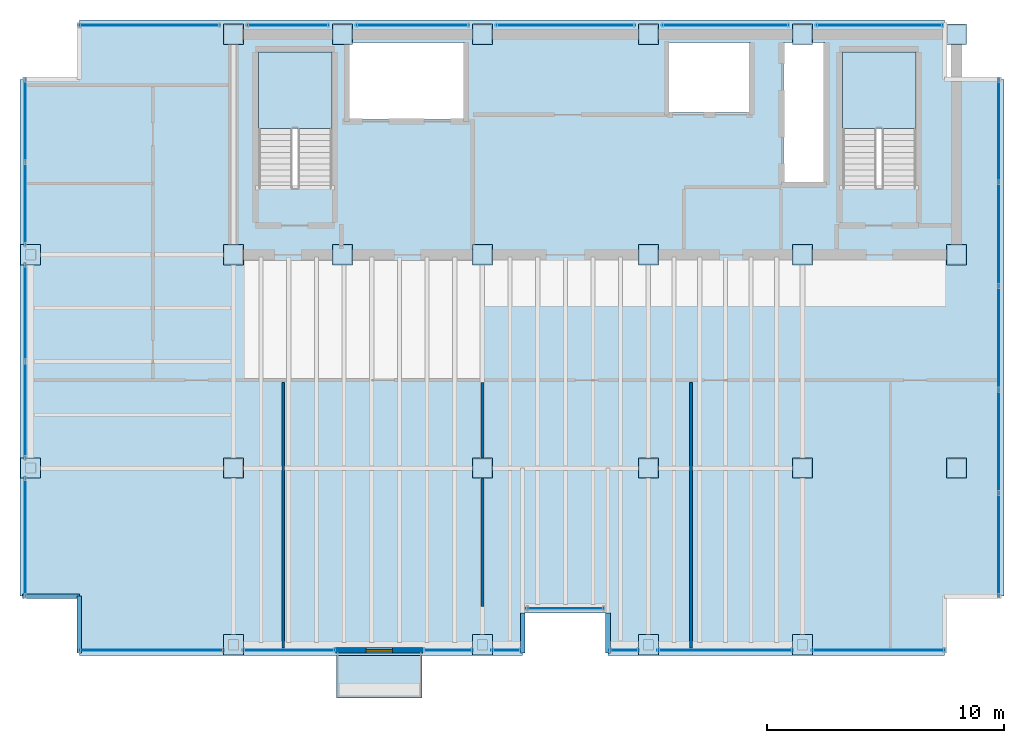
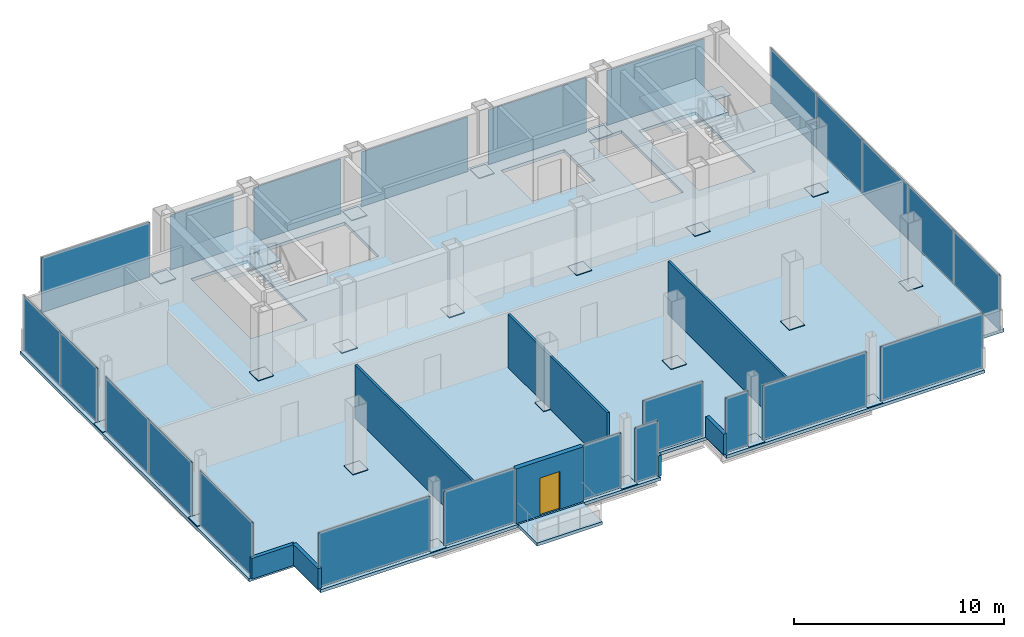
# One storey, part 13 of 16: 47 plates, 8 walls, 4 slabs, 1 door, 6 openings, 20 elements without a shape of their own.
"""IFC4 building model written with IfcOpenShell, lengths in metres."""

import ifcopenshell
import ifcopenshell.guid

model = None  # the IFC model being written
_history = None  # IfcOwnerHistory: only IFC2X3 demands one
_inside = {}  # id of a spatial element -> (the spatial element, [elements in it])
_under = {}  # id of a project, library or spatial element -> (it, [spatial elements below it])
_declared = {}  # id of a project -> (the project, [libraries it declares])
_typed = {}  # id of a type object -> (the type object, [elements of that type])
_made_of = {}  # id of a material, layer set ... -> (it, [elements and type objects made of it])


def new_model(schema):
    """Start an empty IFC model of exactly this schema.

    Asked for "IFC4X3", IfcOpenShell would pick the latest addendum, in which some entities
    have other attributes; the version numbers below select the first issue.
    IFC2X3 requires an IfcOwnerHistory on every rooted entity: one is made here for all.
    """
    global model, _history
    if schema == "IFC4X3":
        model = ifcopenshell.file(schema_version=(4, 3, 0, 0))
    else:
        model = ifcopenshell.file(schema=schema)
    _inside.clear()
    _under.clear()
    _declared.clear()
    _typed.clear()
    _made_of.clear()
    _history = None
    if model.schema == "IFC2X3":
        org = make("IfcOrganization", Name="unknown")
        user = make(
            "IfcPersonAndOrganization",
            ThePerson=make("IfcPerson", FamilyName="unknown"),
            TheOrganization=org,
        )
        app = make(
            "IfcApplication",
            ApplicationDeveloper=org,
            Version="unknown",
            ApplicationFullName="unknown",
            ApplicationIdentifier="unknown",
        )
        _history = make(
            "IfcOwnerHistory",
            OwningUser=user,
            OwningApplication=app,
            ChangeAction="ADDED",
            CreationDate=0,
        )
    return model


def make(cls, **values):
    """One entity of the class cls with the attributes given. An attribute that is None is left unset."""
    return model.create_entity(
        cls, **{name: value for name, value in values.items() if value is not None}
    )


def rooted(cls, **values):
    """An entity with a GlobalId (a new one), such as an element, a storey or a relation."""
    return make(cls, GlobalId=ifcopenshell.guid.new(), OwnerHistory=_history, **values)


def si_unit(unit_type, name, prefix=None):
    """IfcSIUnit, for example si_unit("LENGTHUNIT", "METRE", prefix="MILLI")."""
    return make("IfcSIUnit", UnitType=unit_type, Prefix=prefix, Name=name)


def assignment(units):
    """IfcUnitAssignment: the units of a project."""
    return None if units is None else make("IfcUnitAssignment", Units=units)


def point(xyz):
    """IfcCartesianPoint."""
    return None if xyz is None else make("IfcCartesianPoint", Coordinates=xyz)


def direction(xyz):
    """IfcDirection."""
    return None if xyz is None else make("IfcDirection", DirectionRatios=xyz)


def frame(location, z_axis=None, x_axis=None):
    """IfcAxis2Placement3D, a coordinate frame: its origin and axes. An axis left out is left unset."""
    return make(
        "IfcAxis2Placement3D",
        Location=point(location),
        Axis=direction(z_axis),
        RefDirection=direction(x_axis),
    )


def frame_2d(location, x_axis=None):
    """IfcAxis2Placement2D, a coordinate frame in the plane: its origin and x axis."""
    return make(
        "IfcAxis2Placement2D", Location=point(location), RefDirection=direction(x_axis)
    )


def origin():
    """The frame at (0, 0, 0) with its axes left unset."""
    return frame((0.0, 0.0, 0.0))


def origin_2d():
    """The frame at (0, 0) in the plane with its x axis left unset."""
    return frame_2d((0.0, 0.0))


def place(relative_to, where):
    """IfcLocalPlacement: puts the frame where relative to a parent placement (None: the world)."""
    return make(
        "IfcLocalPlacement", PlacementRelTo=relative_to, RelativePlacement=where
    )


def context(
    kind, dimensions, precision=None, world=None, true_north=None, identifier=None
):
    """IfcGeometricRepresentationContext, for example the 3D "Model" context."""
    return make(
        "IfcGeometricRepresentationContext",
        ContextIdentifier=identifier,
        ContextType=kind,
        CoordinateSpaceDimension=dimensions,
        Precision=precision,
        WorldCoordinateSystem=world,
        TrueNorth=true_north,
    )


def subcontext(parent, identifier, kind, view, scale=None):
    """IfcGeometricRepresentationSubContext, for example "Body" below "Model"."""
    return make(
        "IfcGeometricRepresentationSubContext",
        ContextIdentifier=identifier,
        ContextType=kind,
        ParentContext=parent,
        TargetScale=scale,
        TargetView=view,
    )


def project(units=None, contexts=None):
    """IfcProject with its units and contexts."""
    return rooted(
        "IfcProject",
        Name="project",
        RepresentationContexts=contexts,
        UnitsInContext=assignment(units),
    )


def spatial(cls, under=None, at=None, **own):
    """A site, building, storey or space (cls), placed at a placement, below another one or the project."""
    s = rooted(cls, ObjectPlacement=at, **own)
    if under is not None:
        _under.setdefault(under.id(), (under, []))[1].append(s)
    return s


def polyline(points):
    """IfcPolyline through the points."""
    return make("IfcPolyline", Points=[point(p) for p in points])


def profile(cls, at=None, kind="AREA", **sizes):
    """A parametric profile (cls). Its sizes go by their IFC names, for example OverallWidth=200.0."""
    return make(cls, ProfileType=kind, Position=at, **sizes)


def rectangle(**sizes):
    """IfcRectangleProfileDef."""
    return profile("IfcRectangleProfileDef", **sizes)


def outline(outer, holes=None, kind="AREA"):
    """IfcArbitraryClosedProfileDef: a profile drawn as a closed curve; with holes, ...WithVoids."""
    if holes is None:
        return make("IfcArbitraryClosedProfileDef", ProfileType=kind, OuterCurve=outer)
    return make(
        "IfcArbitraryProfileDefWithVoids",
        ProfileType=kind,
        OuterCurve=outer,
        InnerCurves=holes,
    )


def extrude(swept, where, along, depth):
    """IfcExtrudedAreaSolid: the profile swept, set in the frame where, extruded along a direction by depth."""
    return make(
        "IfcExtrudedAreaSolid",
        SweptArea=swept,
        Position=where,
        ExtrudedDirection=direction(along),
        Depth=depth,
    )


def shape(context_of_items, identifier, shape_type, items):
    """IfcShapeRepresentation: the items that make up one representation, for example the "Body"."""
    return make(
        "IfcShapeRepresentation",
        ContextOfItems=context_of_items,
        RepresentationIdentifier=identifier,
        RepresentationType=shape_type,
        Items=items,
    )


def material(Name=None, Category=None):
    """IfcMaterial."""
    return make("IfcMaterial", Name=Name, Category=Category)


def layer(
    of_material, thickness, ventilated=None, Name=None, Category=None, Priority=None
):
    """IfcMaterialLayer: one layer of a wall or slab, of a material (None: an air gap)."""
    return make(
        "IfcMaterialLayer",
        Material=of_material,
        LayerThickness=thickness,
        IsVentilated=ventilated,
        Name=Name,
        Category=Category,
        Priority=Priority,
    )


def layer_set(layers, Name=None):
    """IfcMaterialLayerSet."""
    return make("IfcMaterialLayerSet", MaterialLayers=layers, LayerSetName=Name)


def made_of(thing, what):
    """Note that an element or type object is made of a material, layer set ...; save() writes the relation."""
    if what is not None:
        _made_of.setdefault(what.id(), (what, []))[1].append(thing)
    return thing


def type_object(cls, material=None, **own):
    """A type object (cls), such as IfcWallType, which elements share."""
    return made_of(rooted(cls, **own), material)


def element(
    cls,
    number,
    at=None,
    inside=None,
    cuts=None,
    type_object=None,
    material=None,
    context=None,
    identifier="Body",
    shape_type=None,
    held_by="IfcProductDefinitionShape",
    body=None,
    shapes=None,
    **own,
):
    """One element of the class cls, such as IfcWall. Its Tag is "e" and its number.

    at: its placement. inside: the storey or other place that contains it. cuts: it is an
    opening in that element (IfcRelVoidsElement). A single representation is given by context,
    identifier, shape_type and body (its items); several are given by shapes. held_by: the class
    of the entity that holds the representations. save() writes the other relations.
    """
    e = rooted(cls, Tag="e%d" % number, ObjectPlacement=at, **own)
    if body is not None:
        shapes = [shape(context, identifier, shape_type, body)]
    if shapes is not None:
        e.Representation = make(held_by, Representations=shapes)
    if inside is not None:
        _inside.setdefault(inside.id(), (inside, []))[1].append(e)
    if cuts is not None:
        rooted(
            "IfcRelVoidsElement", RelatingBuildingElement=cuts, RelatedOpeningElement=e
        )
    if type_object is not None:
        _typed.setdefault(type_object.id(), (type_object, []))[1].append(e)
    return made_of(e, material)


def fill(opening, filler):
    """IfcRelFillsElement: the door or window that sits in an opening."""
    return rooted(
        "IfcRelFillsElement",
        RelatingOpeningElement=opening,
        RelatedBuildingElement=filler,
    )


def aggregate(whole, parts):
    """IfcRelAggregates: a whole, such as a stair, and the parts it consists of."""
    return rooted("IfcRelAggregates", RelatingObject=whole, RelatedObjects=parts)


def save(model, path):
    """Write the relations noted so far, then the file.

    IfcRelAggregates (storeys below a building ...), IfcRelContainedInSpatialStructure (elements
    in a storey), IfcRelDefinesByType, IfcRelAssociatesMaterial and IfcRelDeclares: one each for
    every whole, place, type object, material and project.
    """
    for whole, parts in _under.values():
        aggregate(whole, parts)
    for where, things in _inside.values():
        rooted(
            "IfcRelContainedInSpatialStructure",
            RelatedElements=things,
            RelatingStructure=where,
        )
    for kind, things in _typed.values():
        rooted("IfcRelDefinesByType", RelatedObjects=things, RelatingType=kind)
    for what, things in _made_of.values():
        rooted("IfcRelAssociatesMaterial", RelatedObjects=things, RelatingMaterial=what)
    for by, libraries in _declared.values():
        rooted("IfcRelDeclares", RelatingContext=by, RelatedDefinitions=libraries)
    model.write(path)


model = new_model("IFC4")

# Units and contexts
model_context = context("Model", 3, precision=1e-05, world=origin(), true_north=direction((0.0, 1.0)))
body_context = subcontext(model_context, "Body", "Model", "MODEL_VIEW")
ifc_project = project(units=[si_unit("LENGTHUNIT", "METRE"), si_unit("AREAUNIT", "SQUARE_METRE"), si_unit("VOLUMEUNIT", "CUBIC_METRE"), si_unit("PLANEANGLEUNIT", "RADIAN"), si_unit("MASSUNIT", "GRAM", prefix="KILO")], contexts=[model_context])

# Site, building, storey
site_placement = place(None, origin())
site = spatial("IfcSite", under=ifc_project, at=site_placement, CompositionType="ELEMENT")
building_placement = place(site_placement, origin())
building = spatial("IfcBuilding", under=site, at=building_placement, Name="Noeulbin Bourse Tower", CompositionType="ELEMENT")
storey_placement = place(building_placement, frame((0.0, 0.0, 234.5)))
storey = spatial("IfcBuildingStorey", under=building, at=storey_placement, Name="L58", CompositionType="ELEMENT", Elevation=234.5)

# Curtain wall, plate
ifc_material_1 = material(Name="High-Selectivity Low-Iron Glazing", Category="glass")
curtain_wall_type = type_object("IfcCurtainWallType", Name="CW-SYS-4", PredefinedType="NOTDEFINED", material=ifc_material_1)
curtain_wall_1_placement = place(storey_placement, origin())
curtain_wall_1 = element("IfcCurtainWall", 1, at=curtain_wall_1_placement, inside=storey, type_object=curtain_wall_type, Name="Unitised Curtain Wall CW-L58-SREC", PredefinedType="NOTDEFINED")
ifc_layer_1 = layer(ifc_material_1, 0.035888671875)
ifc_layer_set_1 = layer_set([ifc_layer_1], Name="High-Selectivity Low-Iron Glazing")
plate_type_1 = type_object("IfcPlateType", Name="CW-SYS-4-PNL", PredefinedType="CURTAIN_PANEL", material=ifc_layer_set_1)
plate_1_placement = place(storey_placement, frame((27.5, 14.080078125, 0.0), z_axis=(0.0, 0.0, 1.0), x_axis=(1.0, 0.0, 0.0)))
plate_1 = element("IfcPlate", 2, at=plate_1_placement, type_object=plate_type_1, Name="Glazed Curtain Panel CW-L58-SREC-P00", PredefinedType="CURTAIN_PANEL", context=body_context, shape_type="SweptSolid", body=[
    extrude(rectangle(XDim=3.300048828125, YDim=0.035888671875, at=origin_2d()), origin(), (0.0, 0.0, 1.0), 3.179931640625),
])
aggregate(curtain_wall_1, [plate_1])

curtain_wall_2_placement = place(storey_placement, origin())
curtain_wall_2 = element("IfcCurtainWall", 3, at=curtain_wall_2_placement, inside=storey, type_object=curtain_wall_type, Name="Unitised Curtain Wall CW-L58-S1-S1", PredefinedType="NOTDEFINED")
plate_2_placement = place(storey_placement, frame((10.047607421875, 12.320068359375, 0.0), z_axis=(0.0, 0.0, 1.0), x_axis=(1.0, 0.0, 0.0)))
plate_2 = element("IfcPlate", 4, at=plate_2_placement, type_object=plate_type_1, Name="Glazed Curtain Panel CW-L58-S1-S1-P00", PredefinedType="CURTAIN_PANEL", context=body_context, shape_type="SweptSolid", body=[
    extrude(rectangle(XDim=6.135009765625, YDim=0.035888671875, at=origin_2d()), origin(), (0.0, 0.0, 1.0), 3.179931640625),
])
aggregate(curtain_wall_2, [plate_2])

curtain_wall_3_placement = place(storey_placement, origin())
curtain_wall_3 = element("IfcCurtainWall", 5, at=curtain_wall_3_placement, inside=storey, type_object=curtain_wall_type, Name="Unitised Curtain Wall CW-L58-S1-S2", PredefinedType="NOTDEFINED")
plate_3_placement = place(storey_placement, frame((15.842529296875, 12.320068359375, 0.0), z_axis=(0.0, 0.0, 1.0), x_axis=(1.0, 0.0, 0.0)))
plate_3 = element("IfcPlate", 6, at=plate_3_placement, type_object=plate_type_1, Name="Glazed Curtain Panel CW-L58-S1-S2-P00", PredefinedType="CURTAIN_PANEL", context=body_context, shape_type="SweptSolid", body=[
    extrude(rectangle(XDim=3.9150390625, YDim=0.035888671875, at=origin_2d()), origin(), (0.0, 0.0, 1.0), 3.179931640625),
])
aggregate(curtain_wall_3, [plate_3])

curtain_wall_4_placement = place(storey_placement, origin())
curtain_wall_4 = element("IfcCurtainWall", 7, at=curtain_wall_4_placement, inside=storey, type_object=curtain_wall_type, Name="Unitised Curtain Wall CW-L58-S2-S1", PredefinedType="NOTDEFINED")
plate_4_placement = place(storey_placement, frame((22.5576171875, 12.320068359375, 0.0), z_axis=(0.0, 0.0, 1.0), x_axis=(1.0, 0.0, 0.0)))
plate_4 = element("IfcPlate", 8, at=plate_4_placement, type_object=plate_type_1, Name="Glazed Curtain Panel CW-L58-S2-S1-P00", PredefinedType="CURTAIN_PANEL", context=body_context, shape_type="SweptSolid", body=[
    extrude(rectangle(XDim=2.114990234375, YDim=0.035888671875, at=origin_2d()), origin(), (0.0, 0.0, 1.0), 3.179931640625),
])
aggregate(curtain_wall_4, [plate_4])

curtain_wall_5_placement = place(storey_placement, origin())
curtain_wall_5 = element("IfcCurtainWall", 9, at=curtain_wall_5_placement, inside=storey, type_object=curtain_wall_type, Name="Unitised Curtain Wall CW-L58-S2-S2", PredefinedType="NOTDEFINED")
plate_5_placement = place(storey_placement, frame((25.017578125, 12.320068359375, 0.0), z_axis=(0.0, 0.0, 1.0), x_axis=(1.0, 0.0, 0.0)))
plate_5 = element("IfcPlate", 10, at=plate_5_placement, type_object=plate_type_1, Name="Glazed Curtain Panel CW-L58-S2-S2-P00", PredefinedType="CURTAIN_PANEL", context=body_context, shape_type="SweptSolid", body=[
    extrude(rectangle(XDim=1.264892578125, YDim=0.035888671875, at=origin_2d()), origin(), (0.0, 0.0, 1.0), 3.179931640625),
])
aggregate(curtain_wall_5, [plate_5])

curtain_wall_6_placement = place(storey_placement, origin())
curtain_wall_6 = element("IfcCurtainWall", 11, at=curtain_wall_6_placement, inside=storey, type_object=curtain_wall_type, Name="Unitised Curtain Wall CW-L58-S3-S1", PredefinedType="NOTDEFINED")
plate_6_placement = place(storey_placement, frame((29.982421875, 12.320068359375, 0.0), z_axis=(0.0, 0.0, 1.0), x_axis=(1.0, 0.0, 0.0)))
plate_6 = element("IfcPlate", 12, at=plate_6_placement, type_object=plate_type_1, Name="Glazed Curtain Panel CW-L58-S3-S1-P00", PredefinedType="CURTAIN_PANEL", context=body_context, shape_type="SweptSolid", body=[
    extrude(rectangle(XDim=1.264892578125, YDim=0.035888671875, at=origin_2d()), origin(), (0.0, 0.0, 1.0), 3.179931640625),
])
aggregate(curtain_wall_6, [plate_6])

curtain_wall_7_placement = place(storey_placement, origin())
curtain_wall_7 = element("IfcCurtainWall", 13, at=curtain_wall_7_placement, inside=storey, type_object=curtain_wall_type, Name="Unitised Curtain Wall CW-L58-S3-S2", PredefinedType="NOTDEFINED")
plate_7_placement = place(storey_placement, frame((34.25, 12.320068359375, 0.0), z_axis=(0.0, 0.0, 1.0), x_axis=(1.0, 0.0, 0.0)))
plate_7 = element("IfcPlate", 14, at=plate_7_placement, type_object=plate_type_1, Name="Glazed Curtain Panel CW-L58-S3-S2-P00", PredefinedType="CURTAIN_PANEL", context=body_context, shape_type="SweptSolid", body=[
    extrude(rectangle(XDim=5.72998046875, YDim=0.035888671875, at=origin_2d()), origin(), (0.0, 0.0, 1.0), 3.179931640625),
])
aggregate(curtain_wall_7, [plate_7])

curtain_wall_8_placement = place(storey_placement, origin())
curtain_wall_8 = element("IfcCurtainWall", 15, at=curtain_wall_8_placement, inside=storey, type_object=curtain_wall_type, Name="Unitised Curtain Wall CW-L58-S3-S3", PredefinedType="NOTDEFINED")
plate_8_placement = place(storey_placement, frame((40.702392578125, 12.320068359375, 0.0), z_axis=(0.0, 0.0, 1.0), x_axis=(1.0, 0.0, 0.0)))
plate_8 = element("IfcPlate", 16, at=plate_8_placement, type_object=plate_type_1, Name="Glazed Curtain Panel CW-L58-S3-S3-P00", PredefinedType="CURTAIN_PANEL", context=body_context, shape_type="SweptSolid", body=[
    extrude(rectangle(XDim=5.635009765625, YDim=0.035888671875, at=origin_2d()), origin(), (0.0, 0.0, 1.0), 3.179931640625),
])
aggregate(curtain_wall_8, [plate_8])

curtain_wall_9_placement = place(storey_placement, origin())
curtain_wall_9 = element("IfcCurtainWall", 17, at=curtain_wall_9_placement, inside=storey, type_object=curtain_wall_type, Name="Unitised Curtain Wall CW-L58-N-S1", PredefinedType="NOTDEFINED")
plate_9_placement = place(storey_placement, frame((9.9599609375, 38.679931640625, 0.0), z_axis=(0.0, 0.0, 1.0), x_axis=(1.0, 0.0, 0.0)))
plate_9 = element("IfcPlate", 18, at=plate_9_placement, type_object=plate_type_1, Name="Glazed Curtain Panel CW-L58-N-S1-P00", PredefinedType="CURTAIN_PANEL", context=body_context, shape_type="SweptSolid", body=[
    extrude(rectangle(XDim=5.9599609375, YDim=0.035888671875, at=origin_2d()), origin(), (0.0, 0.0, 1.0), 3.179931640625),
])
aggregate(curtain_wall_9, [plate_9])

curtain_wall_10_placement = place(storey_placement, origin())
curtain_wall_10 = element("IfcCurtainWall", 19, at=curtain_wall_10_placement, inside=storey, type_object=curtain_wall_type, Name="Unitised Curtain Wall CW-L58-N-S2", PredefinedType="NOTDEFINED")
plate_10_placement = place(storey_placement, frame((15.800048828125, 38.679931640625, 0.0), z_axis=(0.0, 0.0, 1.0), x_axis=(1.0, 0.0, 0.0)))
plate_10 = element("IfcPlate", 20, at=plate_10_placement, type_object=plate_type_1, Name="Glazed Curtain Panel CW-L58-N-S2-P00", PredefinedType="CURTAIN_PANEL", context=body_context, shape_type="SweptSolid", body=[
    extrude(rectangle(XDim=3.47998046875, YDim=0.035888671875, at=origin_2d()), origin(), (0.0, 0.0, 1.0), 3.179931640625),
])
aggregate(curtain_wall_10, [plate_10])

curtain_wall_11_placement = place(storey_placement, origin())
curtain_wall_11 = element("IfcCurtainWall", 21, at=curtain_wall_11_placement, inside=storey, type_object=curtain_wall_type, Name="Unitised Curtain Wall CW-L58-N-S3", PredefinedType="NOTDEFINED")
plate_11_placement = place(storey_placement, frame((21.050048828125, 38.679931640625, 0.0), z_axis=(0.0, 0.0, 1.0), x_axis=(1.0, 0.0, 0.0)))
plate_11 = element("IfcPlate", 22, at=plate_11_placement, type_object=plate_type_1, Name="Glazed Curtain Panel CW-L58-N-S3-P00", PredefinedType="CURTAIN_PANEL", context=body_context, shape_type="SweptSolid", body=[
    extrude(rectangle(XDim=4.780029296875, YDim=0.035888671875, at=origin_2d()), origin(), (0.0, 0.0, 1.0), 3.179931640625),
])
aggregate(curtain_wall_11, [plate_11])

curtain_wall_12_placement = place(storey_placement, origin())
curtain_wall_12 = element("IfcCurtainWall", 23, at=curtain_wall_12_placement, inside=storey, type_object=curtain_wall_type, Name="Unitised Curtain Wall CW-L58-N-S4", PredefinedType="NOTDEFINED")
plate_12_placement = place(storey_placement, frame((27.5, 38.679931640625, 0.0), z_axis=(0.0, 0.0, 1.0), x_axis=(1.0, 0.0, 0.0)))
plate_12 = element("IfcPlate", 24, at=plate_12_placement, type_object=plate_type_1, Name="Glazed Curtain Panel CW-L58-N-S4-P00", PredefinedType="CURTAIN_PANEL", context=body_context, shape_type="SweptSolid", body=[
    extrude(rectangle(XDim=5.8798828125, YDim=0.035888671875, at=origin_2d()), origin(), (0.0, 0.0, 1.0), 3.179931640625),
])
aggregate(curtain_wall_12, [plate_12])

curtain_wall_13_placement = place(storey_placement, origin())
curtain_wall_13 = element("IfcCurtainWall", 25, at=curtain_wall_13_placement, inside=storey, type_object=curtain_wall_type, Name="Unitised Curtain Wall CW-L58-N-S5", PredefinedType="NOTDEFINED")
plate_13_placement = place(storey_placement, frame((34.25, 38.679931640625, 0.0), z_axis=(0.0, 0.0, 1.0), x_axis=(1.0, 0.0, 0.0)))
plate_13 = element("IfcPlate", 26, at=plate_13_placement, type_object=plate_type_1, Name="Glazed Curtain Panel CW-L58-N-S5-P00", PredefinedType="CURTAIN_PANEL", context=body_context, shape_type="SweptSolid", body=[
    extrude(rectangle(XDim=5.3798828125, YDim=0.035888671875, at=origin_2d()), origin(), (0.0, 0.0, 1.0), 3.179931640625),
])
aggregate(curtain_wall_13, [plate_13])

curtain_wall_14_placement = place(storey_placement, origin())
curtain_wall_14 = element("IfcCurtainWall", 27, at=curtain_wall_14_placement, inside=storey, type_object=curtain_wall_type, Name="Unitised Curtain Wall CW-L58-N-S6", PredefinedType="NOTDEFINED")
plate_14_placement = place(storey_placement, frame((40.75, 38.679931640625, 0.0), z_axis=(0.0, 0.0, 1.0), x_axis=(1.0, 0.0, 0.0)))
plate_14 = element("IfcPlate", 28, at=plate_14_placement, type_object=plate_type_1, Name="Glazed Curtain Panel CW-L58-N-S6-P00", PredefinedType="CURTAIN_PANEL", context=body_context, shape_type="SweptSolid", body=[
    extrude(rectangle(XDim=5.3798828125, YDim=0.035888671875, at=origin_2d()), origin(), (0.0, 0.0, 1.0), 3.179931640625),
])
aggregate(curtain_wall_14, [plate_14])

curtain_wall_15_placement = place(storey_placement, origin())
curtain_wall_15 = element("IfcCurtainWall", 29, at=curtain_wall_15_placement, inside=storey, type_object=curtain_wall_type, Name="Unitised Curtain Wall CW-L58-W-S1", PredefinedType="NOTDEFINED")
plate_15_placement = place(storey_placement, frame((4.719970703125, 17.097412109375, 0.0), z_axis=(0.0, 0.0, 1.0), x_axis=(0.0, 1.0, 0.0)))
plate_15 = element("IfcPlate", 30, at=plate_15_placement, type_object=plate_type_1, Name="Glazed Curtain Panel CW-L58-W-S1-P00", PredefinedType="CURTAIN_PANEL", context=body_context, shape_type="SweptSolid", body=[
    extrude(rectangle(XDim=5.034912109375, YDim=0.035888671875, at=origin_2d()), origin(), (0.0, 0.0, 1.0), 3.179931640625),
])
aggregate(curtain_wall_15, [plate_15])

# Curtain wall, plates
curtain_wall_16_placement = place(storey_placement, origin())
curtain_wall_16 = element("IfcCurtainWall", 31, at=curtain_wall_16_placement, inside=storey, type_object=curtain_wall_type, Name="Unitised Curtain Wall CW-L58-W-S2", PredefinedType="NOTDEFINED")
plate_16_placement = place(storey_placement, frame((4.719970703125, 22.4423828125, 0.0), z_axis=(0.0, 0.0, 1.0), x_axis=(0.0, 1.0, 0.0)))
plate_16 = element("IfcPlate", 32, at=plate_16_placement, type_object=plate_type_1, Name="Glazed Curtain Panel CW-L58-W-S2-P00", PredefinedType="CURTAIN_PANEL", context=body_context, shape_type="SweptSolid", body=[
    extrude(rectangle(XDim=4.114990234375, YDim=0.035888671875, at=origin_2d()), origin(), (0.0, 0.0, 1.0), 3.179931640625),
])
plate_17_placement = place(storey_placement, frame((4.719970703125, 26.5576171875, 0.0), z_axis=(0.0, 0.0, 1.0), x_axis=(0.0, 1.0, 0.0)))
plate_17 = element("IfcPlate", 33, at=plate_17_placement, type_object=plate_type_1, Name="Glazed Curtain Panel CW-L58-W-S2-P01", PredefinedType="CURTAIN_PANEL", context=body_context, shape_type="SweptSolid", body=[
    extrude(rectangle(XDim=4.114990234375, YDim=0.035888671875, at=origin_2d()), origin(), (0.0, 0.0, 1.0), 3.179931640625),
])
aggregate(curtain_wall_16, [plate_16, plate_17])

curtain_wall_17_placement = place(storey_placement, origin())
curtain_wall_17 = element("IfcCurtainWall", 34, at=curtain_wall_17_placement, inside=storey, type_object=curtain_wall_type, Name="Unitised Curtain Wall CW-L58-W-S3", PredefinedType="NOTDEFINED")
plate_18_placement = place(storey_placement, frame((4.719970703125, 31.143798828125, 0.0), z_axis=(0.0, 0.0, 1.0), x_axis=(0.0, 1.0, 0.0)))
plate_18 = element("IfcPlate", 35, at=plate_18_placement, type_object=plate_type_1, Name="Glazed Curtain Panel CW-L58-W-S3-P00", PredefinedType="CURTAIN_PANEL", context=body_context, shape_type="SweptSolid", body=[
    extrude(rectangle(XDim=3.517578125, YDim=0.035888671875, at=origin_2d()), origin(), (0.0, 0.0, 1.0), 3.179931640625),
])
plate_19_placement = place(storey_placement, frame((4.719970703125, 34.661376953125, 0.0), z_axis=(0.0, 0.0, 1.0), x_axis=(0.0, 1.0, 0.0)))
plate_19 = element("IfcPlate", 36, at=plate_19_placement, type_object=plate_type_1, Name="Glazed Curtain Panel CW-L58-W-S3-P01", PredefinedType="CURTAIN_PANEL", context=body_context, shape_type="SweptSolid", body=[
    extrude(rectangle(XDim=3.517578125, YDim=0.035888671875, at=origin_2d()), origin(), (0.0, 0.0, 1.0), 3.179931640625),
])
aggregate(curtain_wall_17, [plate_18, plate_19])

curtain_wall_18_placement = place(storey_placement, origin())
curtain_wall_18 = element("IfcCurtainWall", 37, at=curtain_wall_18_placement, inside=storey, type_object=curtain_wall_type, Name="Unitised Curtain Wall CW-L58-E", PredefinedType="NOTDEFINED")
plate_20_placement = place(storey_placement, frame((45.780029296875, 16.763916015625, 0.0), z_axis=(0.0, 0.0, 1.0), x_axis=(0.0, 1.0, 0.0)))
plate_20 = element("IfcPlate", 38, at=plate_20_placement, type_object=plate_type_1, Name="Glazed Curtain Panel CW-L58-E-P00", PredefinedType="CURTAIN_PANEL", context=body_context, shape_type="SweptSolid", body=[
    extrude(rectangle(XDim=4.367919921875, YDim=0.035888671875, at=origin_2d()), origin(), (0.0, 0.0, 1.0), 3.179931640625),
])
plate_21_placement = place(storey_placement, frame((45.780029296875, 21.132080078125, 0.0), z_axis=(0.0, 0.0, 1.0), x_axis=(0.0, 1.0, 0.0)))
plate_21 = element("IfcPlate", 39, at=plate_21_placement, type_object=plate_type_1, Name="Glazed Curtain Panel CW-L58-E-P01", PredefinedType="CURTAIN_PANEL", context=body_context, shape_type="SweptSolid", body=[
    extrude(rectangle(XDim=4.367919921875, YDim=0.035888671875, at=origin_2d()), origin(), (0.0, 0.0, 1.0), 3.179931640625),
])
plate_22_placement = place(storey_placement, frame((45.780029296875, 25.5, 0.0), z_axis=(0.0, 0.0, 1.0), x_axis=(0.0, 1.0, 0.0)))
plate_22 = element("IfcPlate", 40, at=plate_22_placement, type_object=plate_type_1, Name="Glazed Curtain Panel CW-L58-E-P02", PredefinedType="CURTAIN_PANEL", context=body_context, shape_type="SweptSolid", body=[
    extrude(rectangle(XDim=4.367919921875, YDim=0.035888671875, at=origin_2d()), origin(), (0.0, 0.0, 1.0), 3.179931640625),
])
plate_23_placement = place(storey_placement, frame((45.780029296875, 29.867919921875, 0.0), z_axis=(0.0, 0.0, 1.0), x_axis=(0.0, 1.0, 0.0)))
plate_23 = element("IfcPlate", 41, at=plate_23_placement, type_object=plate_type_1, Name="Glazed Curtain Panel CW-L58-E-P03", PredefinedType="CURTAIN_PANEL", context=body_context, shape_type="SweptSolid", body=[
    extrude(rectangle(XDim=4.367919921875, YDim=0.035888671875, at=origin_2d()), origin(), (0.0, 0.0, 1.0), 3.179931640625),
])
plate_24_placement = place(storey_placement, frame((45.780029296875, 34.236083984375, 0.0), z_axis=(0.0, 0.0, 1.0), x_axis=(0.0, 1.0, 0.0)))
plate_24 = element("IfcPlate", 42, at=plate_24_placement, type_object=plate_type_1, Name="Glazed Curtain Panel CW-L58-E-P04", PredefinedType="CURTAIN_PANEL", context=body_context, shape_type="SweptSolid", body=[
    extrude(rectangle(XDim=4.367919921875, YDim=0.035888671875, at=origin_2d()), origin(), (0.0, 0.0, 1.0), 3.179931640625),
])
aggregate(curtain_wall_18, [plate_20, plate_21, plate_22, plate_23, plate_24])

# Plates
ifc_material_2 = material(Name="Steel S355", Category="steel")
ifc_layer_2 = layer(ifc_material_2, 0.030029296875)
ifc_layer_set_2 = layer_set([ifc_layer_2], Name="Steel S355")
plate_type_2 = type_object("IfcPlateType", Name="PLT-BN1", PredefinedType="USERDEFINED", material=ifc_layer_set_2)
for number, where, z_axis, x_axis, name in (
    (43, (13.5, 29.0, 0.0048828125), (0.0, 0.0, 1.0), (1.0, 0.0, 0.0), "Mega-Column Splice Plate BN1-L58-01"),
    (44, (13.5, 38.300048828125, 0.0048828125), (0.0, 0.0, 1.0), (1.0, 0.0, 0.0), "Mega-Column Splice Plate BN1-L58-02"),
    (45, (18.10009765625, 29.0, 0.0048828125), (0.0, 0.0, 1.0), (1.0, 0.0, 0.0), "Mega-Column Splice Plate BN1-L58-03"),
    (46, (18.10009765625, 38.300048828125, 0.0048828125), (0.0, 0.0, 1.0), (1.0, 0.0, 0.0), "Mega-Column Splice Plate BN1-L58-04"),
    (47, (24.0, 29.0, 0.0048828125), (0.0, 0.0, 1.0), (1.0, 0.0, 0.0), "Mega-Column Splice Plate BN1-L58-05"),
    (48, (24.0, 38.300048828125, 0.0048828125), (0.0, 0.0, 1.0), (1.0, 0.0, 0.0), "Mega-Column Splice Plate BN1-L58-06"),
    (49, (31.0, 29.0, 0.0048828125), (0.0, 0.0, 1.0), (1.0, 0.0, 0.0), "Mega-Column Splice Plate BN1-L58-07"),
    (50, (31.0, 38.300048828125, 0.0048828125), (0.0, 0.0, 1.0), (1.0, 0.0, 0.0), "Mega-Column Splice Plate BN1-L58-08"),
    (51, (37.5, 29.0, 0.0048828125), (0.0, 0.0, 1.0), (1.0, 0.0, 0.0), "Mega-Column Splice Plate BN1-L58-09"),
    (52, (37.5, 38.300048828125, 0.0048828125), (0.0, 0.0, 1.0), (1.0, 0.0, 0.0), "Mega-Column Splice Plate BN1-L58-10"),
    (53, (44.0, 29.0, 0.0048828125), (0.0, 0.0, 1.0), (1.0, 0.0, 0.0), "Mega-Column Splice Plate BN1-L58-11"),
    (54, (44.0, 38.300048828125, 0.0048828125), (0.0, 0.0, 1.0), (1.0, 0.0, 0.0), "Mega-Column Splice Plate BN1-L58-12"),
    (55, (13.5, 20.0, 0.0048828125), (0.0, 0.0, 1.0), (1.0, 0.0, 0.0), "Mega-Column Splice Plate BN1-L58-13"),
    (56, (24.0, 20.0, 0.0048828125), (0.0, 0.0, 1.0), (1.0, 0.0, 0.0), "Mega-Column Splice Plate BN1-L58-14"),
    (57, (31.0, 20.0, 0.0048828125), (0.0, 0.0, 1.0), (1.0, 0.0, 0.0), "Mega-Column Splice Plate BN1-L58-15"),
    (58, (37.5, 20.0, 0.0048828125), (0.0, 0.0, 1.0), (1.0, 0.0, 0.0), "Mega-Column Splice Plate BN1-L58-16"),
    (59, (44.0, 20.0, 0.0048828125), (0.0, 0.0, 1.0), (1.0, 0.0, 0.0), "Mega-Column Splice Plate BN1-L58-17"),
    (60, (4.949951171875, 20.0, 0.0048828125), (0.0, 0.0, 1.0), (1.0, 0.0, 0.0), "Perimeter Column Splice Plate BN1-L58-01"),
    (61, (4.949951171875, 29.0, 0.0048828125), (0.0, 0.0, 1.0), (1.0, 0.0, 0.0), "Perimeter Column Splice Plate BN1-L58-02"),
    (62, (13.5, 12.550048828125, 0.0048828125), (0.0, 0.0, 1.0), (1.0, 0.0, 0.0), "Perimeter Column Splice Plate BN1-L58-03"),
    (63, (24.0, 12.550048828125, 0.0048828125), (0.0, 0.0, 1.0), (1.0, 0.0, 0.0), "Perimeter Column Splice Plate BN1-L58-04"),
    (64, (31.0, 12.550048828125, 0.0048828125), (0.0, 0.0, 1.0), (1.0, 0.0, 0.0), "Perimeter Column Splice Plate BN1-L58-05"),
    (65, (37.5, 12.550048828125, 0.0048828125), (0.0, 0.0, 1.0), (1.0, 0.0, 0.0), "Perimeter Column Splice Plate BN1-L58-06"),
):
    element("IfcPlate", number, at=place(storey_placement, frame(where, z_axis=z_axis, x_axis=x_axis)), inside=storey, type_object=plate_type_2, Name=name, ObjectType="SPLICE PLATE", PredefinedType="USERDEFINED", context=body_context, shape_type="SweptSolid", body=[
        extrude(rectangle(XDim=0.85009765625, YDim=0.85009765625, at=origin_2d()), origin(), (0.0, 0.0, 1.0), 0.030029296875),
    ])

# Stair, slab
ifc_material_3 = material(Name="Concrete C40/50", Category="concrete")
stair_type = type_object("IfcStairType", Name="STR-CORE-1560", PredefinedType="HALF_TURN_STAIR", material=ifc_material_3)
stair_1_placement = place(storey_placement, origin())
stair_1 = element("IfcStair", 66, at=stair_1_placement, inside=storey, type_object=stair_type, Name="L58 ST-1", PredefinedType="HALF_TURN_STAIR")
ifc_layer_3 = layer(ifc_material_3, 0.199951171875)
ifc_layer_set_3 = layer_set([ifc_layer_3], Name="Concrete C40/50")
slab_type_1 = type_object("IfcSlabType", Name="SLB-LND-200", PredefinedType="LANDING", material=ifc_layer_set_3)
slab_1_placement = place(storey_placement, frame((0.0, 0.0, 1.75)))
slab_1 = element("IfcSlab", 67, at=slab_1_placement, type_object=slab_type_1, Name="ST-1 landing 1", PredefinedType="LANDING", context=body_context, shape_type="SweptSolid", body=[
    extrude(outline(polyline([(17.64990234375, 34.330078125), (17.64990234375, 37.5439453125), (14.550048828125, 37.5439453125), (14.550048828125, 34.330078125), (17.64990234375, 34.330078125)])), origin(), (0.0, 0.0, 1.0), 0.199951171875),
])
aggregate(stair_1, [slab_1])

stair_2_placement = place(storey_placement, origin())
stair_2 = element("IfcStair", 68, at=stair_2_placement, inside=storey, type_object=stair_type, Name="L58 ST-2", PredefinedType="HALF_TURN_STAIR")
slab_2_placement = place(storey_placement, frame((0.0, 0.0, 1.75)))
slab_2 = element("IfcSlab", 69, at=slab_2_placement, type_object=slab_type_1, Name="ST-2 landing 1", PredefinedType="LANDING", context=body_context, shape_type="SweptSolid", body=[
    extrude(outline(polyline([(42.280029296875, 34.330078125), (42.280029296875, 37.5439453125), (39.179931640625, 37.5439453125), (39.179931640625, 34.330078125), (42.280029296875, 34.330078125)])), origin(), (0.0, 0.0, 1.0), 0.199951171875),
])
aggregate(stair_2, [slab_2])

# Slab, openings
ifc_layer_4 = layer(ifc_material_3, 0.179931640625)
ifc_layer_set_4 = layer_set([ifc_layer_4], Name="Concrete C40/50")
slab_type_2 = type_object("IfcSlabType", Name="SLB-TYP-180", PredefinedType="FLOOR", material=ifc_layer_set_4)
slab_3_placement = place(storey_placement, frame((0.0, 0.0, -0.179931640625)))
slab_3 = element("IfcSlab", 70, at=slab_3_placement, inside=storey, type_object=slab_type_2, Name="Tower Structural Floor Slab L58", PredefinedType="FLOOR", context=body_context, shape_type="SweptSolid", body=[
    extrude(outline(polyline([(7.0, 12.10009765625), (25.699951171875, 12.10009765625), (25.699951171875, 13.89990234375), (29.300048828125, 13.89990234375), (29.300048828125, 12.10009765625), (43.5, 12.10009765625), (43.5, 14.60009765625), (46.0, 14.60009765625), (46.0, 36.39990234375), (43.5, 36.39990234375), (43.5, 38.89990234375), (7.0, 38.89990234375), (7.0, 36.39990234375), (4.5, 36.39990234375), (4.5, 14.60009765625), (7.0, 14.60009765625), (7.0, 12.10009765625)]), holes=[polyline([(17.64990234375, 31.81005859375), (17.64990234375, 37.5439453125), (14.550048828125, 37.5439453125), (14.550048828125, 31.81005859375), (17.64990234375, 31.81005859375)]), polyline([(42.280029296875, 31.81005859375), (42.280029296875, 37.5439453125), (39.179931640625, 37.5439453125), (39.179931640625, 31.81005859375), (42.280029296875, 31.81005859375)]), polyline([(18.35009765625, 34.699951171875), (23.25, 34.699951171875), (23.25, 37.949951171875), (18.35009765625, 37.949951171875), (18.35009765625, 34.699951171875)]), polyline([(36.699951171875, 32.050048828125), (38.449951171875, 32.050048828125), (38.449951171875, 37.949951171875), (36.699951171875, 37.949951171875), (36.699951171875, 32.050048828125)]), polyline([(31.85009765625, 35.0), (35.300048828125, 35.0), (35.300048828125, 37.949951171875), (31.85009765625, 37.949951171875), (31.85009765625, 35.0)])]), origin(), (0.0, 0.0, 1.0), 0.179931640625),
])
opening_1_placement = place(slab_3_placement, frame((0.0, 0.0, -0.010009765625)))
element("IfcOpeningElement", 71, at=opening_1_placement, cuts=slab_3, Name="Slab Shaft Opening SLB-L58-TWR-1", PredefinedType="OPENING", context=body_context, shape_type="SweptSolid", body=[
    extrude(outline(polyline([(17.64990234375, 31.81005859375), (17.64990234375, 37.5439453125), (14.550048828125, 37.5439453125), (14.550048828125, 31.81005859375), (17.64990234375, 31.81005859375)])), origin(), (0.0, 0.0, 1.0), 0.199951171875),
])
opening_2_placement = place(slab_3_placement, frame((0.0, 0.0, -0.010009765625)))
element("IfcOpeningElement", 72, at=opening_2_placement, cuts=slab_3, Name="Slab Shaft Opening SLB-L58-TWR-2", PredefinedType="OPENING", context=body_context, shape_type="SweptSolid", body=[
    extrude(outline(polyline([(42.280029296875, 31.81005859375), (42.280029296875, 37.5439453125), (39.179931640625, 37.5439453125), (39.179931640625, 31.81005859375), (42.280029296875, 31.81005859375)])), origin(), (0.0, 0.0, 1.0), 0.199951171875),
])
opening_3_placement = place(slab_3_placement, frame((0.0, 0.0, -0.010009765625)))
element("IfcOpeningElement", 73, at=opening_3_placement, cuts=slab_3, Name="Slab Shaft Opening SLB-L58-TWR-3", PredefinedType="OPENING", context=body_context, shape_type="SweptSolid", body=[
    extrude(outline(polyline([(18.35009765625, 34.699951171875), (23.25, 34.699951171875), (23.25, 37.949951171875), (18.35009765625, 37.949951171875), (18.35009765625, 34.699951171875)])), origin(), (0.0, 0.0, 1.0), 0.199951171875),
])
opening_4_placement = place(slab_3_placement, frame((0.0, 0.0, -0.010009765625)))
element("IfcOpeningElement", 74, at=opening_4_placement, cuts=slab_3, Name="Slab Shaft Opening SLB-L58-TWR-4", PredefinedType="OPENING", context=body_context, shape_type="SweptSolid", body=[
    extrude(outline(polyline([(36.699951171875, 32.050048828125), (38.449951171875, 32.050048828125), (38.449951171875, 37.949951171875), (36.699951171875, 37.949951171875), (36.699951171875, 32.050048828125)])), origin(), (0.0, 0.0, 1.0), 0.199951171875),
])
opening_5_placement = place(slab_3_placement, frame((0.0, 0.0, -0.010009765625)))
element("IfcOpeningElement", 75, at=opening_5_placement, cuts=slab_3, Name="Slab Shaft Opening SLB-L58-TWR-5", PredefinedType="OPENING", context=body_context, shape_type="SweptSolid", body=[
    extrude(outline(polyline([(31.85009765625, 35.0), (35.300048828125, 35.0), (35.300048828125, 37.949951171875), (31.85009765625, 37.949951171875), (31.85009765625, 35.0)])), origin(), (0.0, 0.0, 1.0), 0.199951171875),
])

# Slab
slab_4_placement = place(storey_placement, frame((0.0, 0.0, -0.179931640625)))
element("IfcSlab", 76, at=slab_4_placement, inside=storey, type_object=slab_type_2, Name="Cantilevered Tree-Balcony Slab L58", PredefinedType="FLOOR", context=body_context, shape_type="SweptSolid", body=[
    extrude(outline(polyline([(17.85009765625, 10.300048828125), (21.449951171875, 10.300048828125), (21.449951171875, 12.10009765625), (17.85009765625, 12.10009765625), (17.85009765625, 10.300048828125)])), origin(), (0.0, 0.0, 1.0), 0.179931640625),
])

# Wall, opening, door
ifc_material_4 = material(Name="Precast Concrete C40/50", Category="concrete")
ifc_layer_5 = layer(ifc_material_4, 0.25)
ifc_layer_set_5 = layer_set([ifc_layer_5], Name="Precast Concrete C40/50")
wall_type_1 = type_object("IfcWallType", Name="WAL-EXT-250", PredefinedType="STANDARD", material=ifc_layer_set_5)
wall_1_placement = place(storey_placement, frame((17.800048828125, 12.320068359375, 0.0), z_axis=(0.0, 0.0, 1.0), x_axis=(1.0, 0.0, 0.0)))
wall_1 = element("IfcWall", 77, at=wall_1_placement, inside=storey, type_object=wall_type_1, Name="Balcony Threshold Wall L58", PredefinedType="STANDARD", context=body_context, shape_type="SweptSolid", body=[
    extrude(rectangle(XDim=3.699951171875, YDim=0.25, at=frame_2d((1.85009765625, 0.0))), origin(), (0.0, 0.0, 1.0), 3.179931640625),
])
opening_6_placement = place(wall_1_placement, frame((1.300048828125, 0.0, 0.0)))
opening_6 = element("IfcOpeningElement", 78, at=opening_6_placement, cuts=wall_1, Name="Opening BD-11", PredefinedType="OPENING", context=body_context, shape_type="SweptSolid", body=[
    extrude(rectangle(XDim=1.10009765625, YDim=2.199951171875, at=frame_2d((0.550048828125, 1.10009765625))), frame((0.0, 0.135009765625, 0.0), z_axis=(0.0, -1.0, 0.0), x_axis=(1.0, 0.0, 0.0)), (0.0, 0.0, 1.0), 0.27001953125),
])
ifc_material_5 = material(Name="Thermally Broken Aluminium Framed Glass", Category="aluminium")
door_type = type_object("IfcDoorType", Name="DR-BAL-1100", OperationType="SINGLE_SWING_LEFT", PredefinedType="DOOR", material=ifc_material_5)
door_placement = place(opening_6_placement, origin())
door = element("IfcDoor", 79, at=door_placement, inside=storey, type_object=door_type, Name="Tree-Balcony Access Door BD-L58", OperationType="SINGLE_SWING_RIGHT", OverallHeight=2.199951171875, OverallWidth=1.10009765625, PredefinedType="DOOR", context=body_context, shape_type="SweptSolid", body=[
    extrude(rectangle(XDim=1.10009765625, YDim=2.199951171875, at=frame_2d((0.550048828125, 1.10009765625))), frame((0.0, 0.02490234375, 0.0), z_axis=(0.0, -1.0, 0.0), x_axis=(1.0, 0.0, 0.0)), (0.0, 0.0, 1.0), 0.050048828125),
])
fill(opening_6, door)

# Walls
ifc_layer_6 = layer(ifc_material_3, 0.199951171875)
ifc_layer_set_6 = layer_set([ifc_layer_6], Name="Concrete C40/50")
wall_type_2 = type_object("IfcWallType", Name="WAL-PAR-200", PredefinedType="PARAPET", material=ifc_layer_set_6)
wall_2_placement = place(storey_placement, frame((4.60009765625, 14.60009765625, 0.0), z_axis=(0.0, 0.0, 1.0), x_axis=(1.0, 0.0, 0.0)))
element("IfcWall", 80, at=wall_2_placement, inside=storey, type_object=wall_type_2, Name="Corner Notch Parapet L58-SW1", PredefinedType="PARAPET", context=body_context, shape_type="SweptSolid", body=[
    extrude(rectangle(XDim=2.39990234375, YDim=0.199951171875, at=frame_2d((1.199951171875, 0.0))), origin(), (0.0, 0.0, 1.0), 1.199951171875),
])
wall_3_placement = place(storey_placement, frame((7.0, 14.60009765625, 0.0), z_axis=(0.0, 0.0, 1.0), x_axis=(0.0, -1.0, 0.0)))
element("IfcWall", 81, at=wall_3_placement, inside=storey, type_object=wall_type_2, Name="Corner Notch Parapet L58-SW2", PredefinedType="PARAPET", context=body_context, shape_type="SweptSolid", body=[
    extrude(rectangle(XDim=2.400146484375, YDim=0.199951171875, at=frame_2d((1.2001953125, 0.0))), origin(), (0.0, 0.0, 1.0), 1.199951171875),
])
for number, where, z_axis, x_axis, name in (
    (82, (25.699951171875, 12.199951171875, 0.0), (0.0, 0.0, 1.0), (0.0, 1.0, 0.0), "Sky-Garden Recess Parapet L58-W"),
    (83, (29.300048828125, 13.89990234375, 0.0), (0.0, 0.0, 1.0), (0.0, -1.0, 0.0), "Sky-Garden Recess Parapet L58-E"),
):
    element("IfcWall", number, at=place(storey_placement, frame(where, z_axis=z_axis, x_axis=x_axis)), inside=storey, type_object=wall_type_2, Name=name, PredefinedType="PARAPET", context=body_context, shape_type="SweptSolid", body=[
        extrude(rectangle(XDim=1.699951171875, YDim=0.199951171875, at=frame_2d((0.85009765625, 0.0))), origin(), (0.0, 0.0, 1.0), 1.199951171875),
    ])
ifc_material_6 = material(Name="Steel Stud Gypsum Partition", Category="steel")
ifc_layer_7 = layer(ifc_material_6, 0.1201171875)
ifc_layer_set_7 = layer_set([ifc_layer_7], Name="Steel Stud Gypsum Partition")
wall_type_3 = type_object("IfcWallType", Name="WAL-PRT-120", PredefinedType="PARTITIONING", material=ifc_layer_set_7)
wall_4_placement = place(storey_placement, frame((15.60009765625, 12.409912109375, 0.0), z_axis=(0.0, 0.0, 1.0), x_axis=(0.0, 1.0, 0.0)))
element("IfcWall", 84, at=wall_4_placement, inside=storey, type_object=wall_type_3, Name="Interior Partition Wall L58-13", PredefinedType="PARTITIONING", context=body_context, shape_type="SweptSolid", body=[
    extrude(rectangle(XDim=11.205078125, YDim=0.1201171875, at=frame_2d((5.6025390625, 0.0))), origin(), (0.0, 0.0, 1.0), 3.10009765625),
])
wall_5_placement = place(storey_placement, frame((24.0, 14.169921875, 0.0), z_axis=(0.0, 0.0, 1.0), x_axis=(0.0, 1.0, 0.0)))
element("IfcWall", 85, at=wall_5_placement, inside=storey, type_object=wall_type_3, Name="Interior Partition Wall L58-14", PredefinedType="PARTITIONING", context=body_context, shape_type="SweptSolid", body=[
    extrude(rectangle(XDim=9.445068359375, YDim=0.1201171875, at=frame_2d((4.72265625, 0.0))), origin(), (0.0, 0.0, 1.0), 3.10009765625),
])
wall_6_placement = place(storey_placement, frame((32.800048828125, 12.409912109375, 0.0), z_axis=(0.0, 0.0, 1.0), x_axis=(0.0, 1.0, 0.0)))
element("IfcWall", 86, at=wall_6_placement, inside=storey, type_object=wall_type_3, Name="Interior Partition Wall L58-15", PredefinedType="PARTITIONING", context=body_context, shape_type="SweptSolid", body=[
    extrude(rectangle(XDim=11.205078125, YDim=0.1201171875, at=frame_2d((5.6025390625, 0.0))), origin(), (0.0, 0.0, 1.0), 3.10009765625),
])

save(model, "model.ifc")
